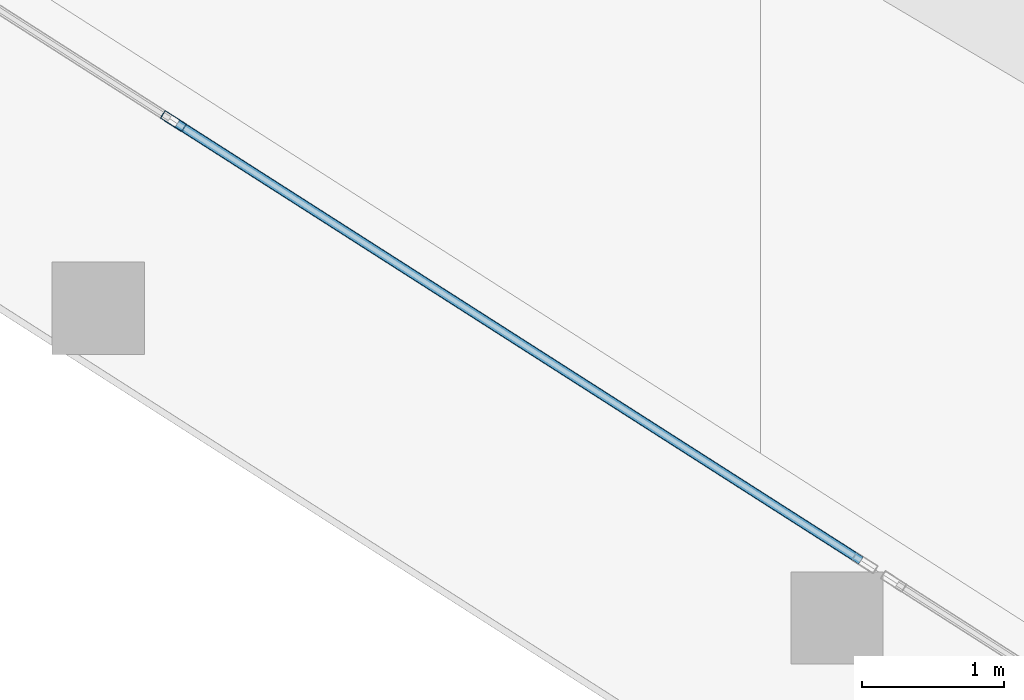
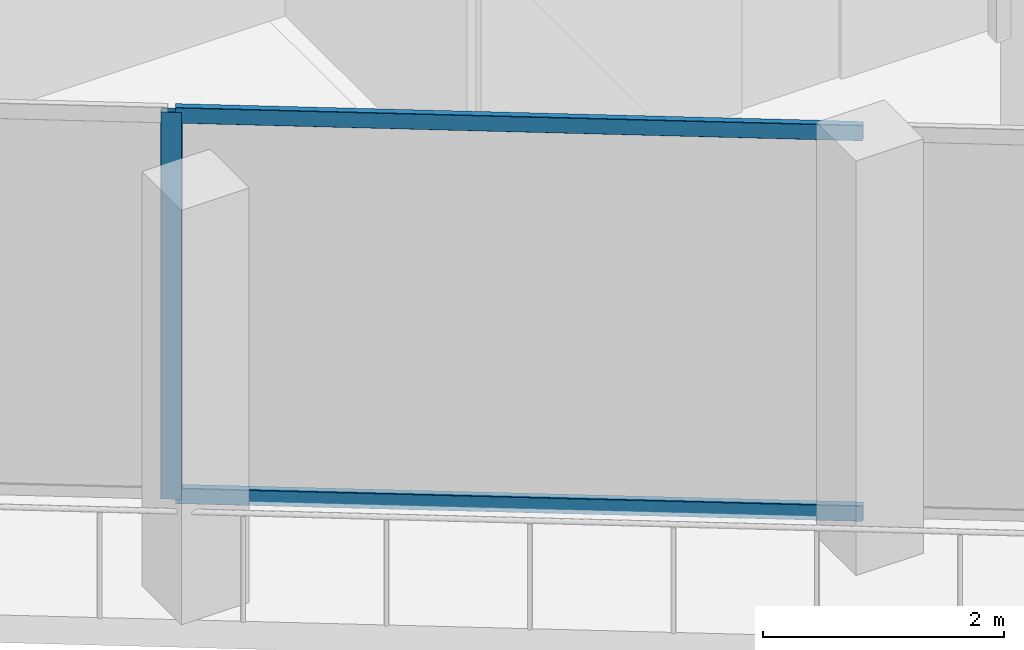
# One storey, part 5 of 44: 3 members, 1 element without a shape of its own.
"""IFC4 building model written with IfcOpenShell, lengths in metres."""

from ifc_helpers import new_model, si_unit, direction, frame, origin, origin_2d, place, context, subcontext, project, spatial, hollow_rectangle, extrude, material, layer, layer_set, material_profile, profile_set, type_object, element, aggregate, save


model = new_model("IFC4")

# Units and contexts
model_context = context("Model", 3, precision=1e-05, world=origin(), true_north=direction((0.0, 1.0)))
body_context = subcontext(model_context, "Body", "Model", "MODEL_VIEW")
ifc_project = project(units=[si_unit("LENGTHUNIT", "METRE"), si_unit("AREAUNIT", "SQUARE_METRE"), si_unit("VOLUMEUNIT", "CUBIC_METRE"), si_unit("PLANEANGLEUNIT", "RADIAN"), si_unit("MASSUNIT", "GRAM", prefix="KILO")], contexts=[model_context])

# Site, building, storey
site_placement = place(None, origin())
site = spatial("IfcSite", under=ifc_project, at=site_placement, CompositionType="ELEMENT")
building_placement = place(site_placement, origin())
building = spatial("IfcBuilding", under=site, at=building_placement, Name="Qorvath Tower", CompositionType="ELEMENT")
storey_placement = place(building_placement, frame((0.0, 0.0, 70.199951171875)))
storey = spatial("IfcBuildingStorey", under=building, at=storey_placement, Name="L15", CompositionType="ELEMENT", Elevation=70.199951171875)

# Curtain wall, members
ifc_material_1 = material(Name="Anodised aluminium and triple low-E glass", Category="aluminium")
ifc_layer = layer(ifc_material_1, 0.179931640625)
ifc_layer_set = layer_set([ifc_layer], Name="CW-SYS-2")
curtain_wall_type = type_object("IfcCurtainWallType", Name="CW-SYS-2", PredefinedType="NOTDEFINED", material=ifc_layer_set)
curtain_wall_placement = place(storey_placement, origin())
curtain_wall = element("IfcCurtainWall", 1, at=curtain_wall_placement, inside=storey, type_object=curtain_wall_type, Name="Curtain Wall CW-2 CW-T-L15-2.1", PredefinedType="NOTDEFINED")
ifc_material_2 = material(Name="Anodised aluminium 6063-T6", Category="aluminium")
ifc_material_profile_1 = material_profile(ifc_material_2, hollow_rectangle(XDim=0.06494140625, YDim=0.179931640625, WallThickness=0.00341796875, InnerFilletRadius=0.00341796875, OuterFilletRadius=0.007080078125, at=origin_2d()), Name="CWM 180x65")
ifc_profile_set_1 = profile_set([ifc_material_profile_1], Name="Anodised aluminium 6063-T6")
member_type_1 = type_object("IfcMemberType", Name="CWM-180", PredefinedType="MULLION", material=ifc_profile_set_1)
member_1_placement = place(storey_placement, frame((-45.00634765625, -13.4560546875, 0.0), z_axis=(0.0, 0.0, 1.0), x_axis=(0.538530641183, 0.842605927173, 0.0)))
member_1 = element("IfcMember", 2, at=member_1_placement, type_object=member_type_1, Name="CW-2 mullion 4", PredefinedType="MULLION", context=body_context, shape_type="SweptSolid", body=[
    extrude(hollow_rectangle(XDim=0.06494140625, YDim=0.179931640625, WallThickness=0.00341796875, InnerFilletRadius=0.00341796875, OuterFilletRadius=0.007080078125, at=origin_2d()), origin(), (0.0, 0.0, 1.0), 3.920166015625),
])
ifc_material_3 = material(Name="Anodised aluminium 6063-T6", Category="aluminium")
ifc_material_profile_2 = material_profile(ifc_material_3, hollow_rectangle(XDim=0.06494140625, YDim=0.159912109375, WallThickness=0.00341796875, InnerFilletRadius=0.00341796875, OuterFilletRadius=0.007080078125, at=origin_2d()), Name="CWT 160x65")
ifc_profile_set_2 = profile_set([ifc_material_profile_2], Name="Anodised aluminium 6063-T6")
member_type_2 = type_object("IfcMemberType", Name="CWT-160", PredefinedType="USERDEFINED", material=ifc_profile_set_2)
member_2_placement = place(storey_placement, frame((-44.97900390625, -13.473388671875, 0.032470703125), z_axis=(0.842590167086, -0.53855529923, 0.0), x_axis=(0.53855529923, 0.842590167086, 0.0)))
member_2 = element("IfcMember", 3, at=member_2_placement, type_object=member_type_2, Name="CW-2 transom 4.1", ObjectType="TRANSOM", PredefinedType="USERDEFINED", context=body_context, shape_type="SweptSolid", body=[
    extrude(hollow_rectangle(XDim=0.06494140625, YDim=0.159912109375, WallThickness=0.00341796875, InnerFilletRadius=0.00341796875, OuterFilletRadius=0.007080078125, at=origin_2d()), origin(), (0.0, 0.0, 1.0), 5.714111328125),
])
member_3_placement = place(storey_placement, frame((-44.97900390625, -13.473388671875, 3.8876953125), z_axis=(0.842590167086, -0.53855529923, 0.0), x_axis=(0.53855529923, 0.842590167086, 0.0)))
member_3 = element("IfcMember", 4, at=member_3_placement, type_object=member_type_2, Name="CW-2 transom 4.2", ObjectType="TRANSOM", PredefinedType="USERDEFINED", context=body_context, shape_type="SweptSolid", body=[
    extrude(hollow_rectangle(XDim=0.06494140625, YDim=0.159912109375, WallThickness=0.00341796875, InnerFilletRadius=0.00341796875, OuterFilletRadius=0.007080078125, at=origin_2d()), origin(), (0.0, 0.0, 1.0), 5.714111328125),
])
aggregate(curtain_wall, [member_1, member_2, member_3])

save(model, "model.ifc")
